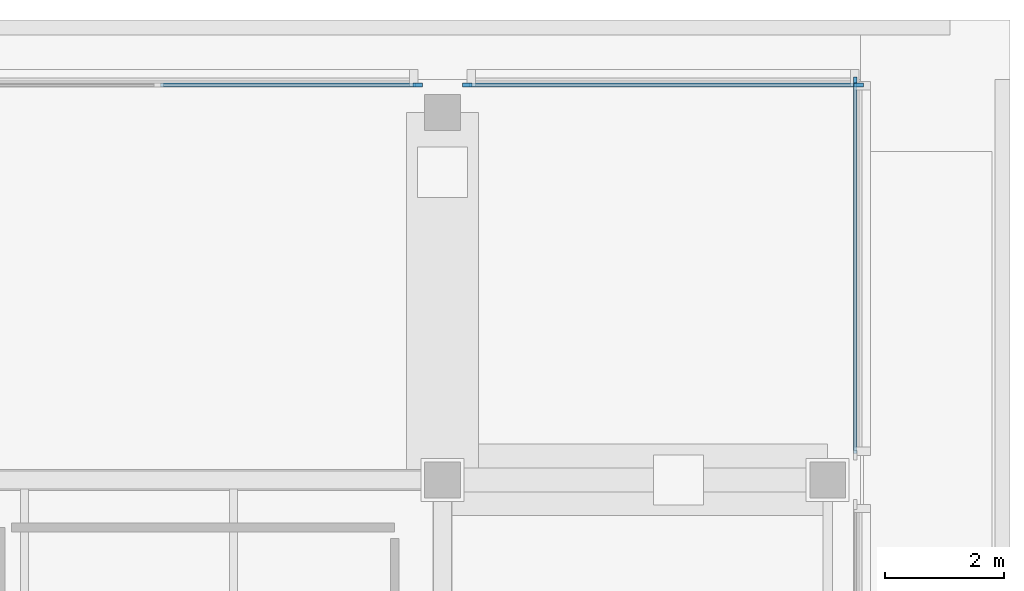
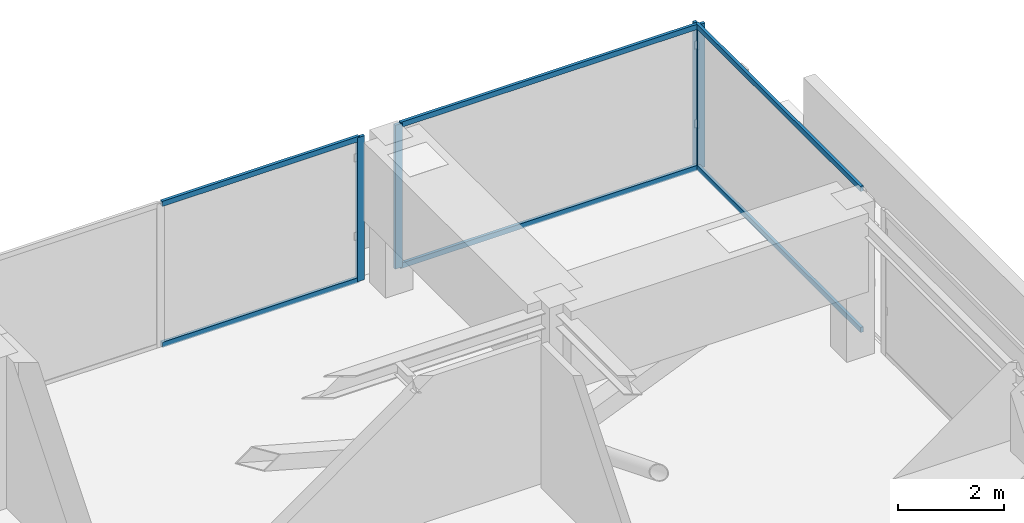
# One storey, part 3 of 9: 10 members, 3 elements without a shape of their own.
"""IFC4 building model written with IfcOpenShell, lengths in metres."""

import ifcopenshell
import ifcopenshell.guid

model = None  # the IFC model being written
_history = None  # IfcOwnerHistory: only IFC2X3 demands one
_inside = {}  # id of a spatial element -> (the spatial element, [elements in it])
_under = {}  # id of a project, library or spatial element -> (it, [spatial elements below it])
_declared = {}  # id of a project -> (the project, [libraries it declares])
_typed = {}  # id of a type object -> (the type object, [elements of that type])
_made_of = {}  # id of a material, layer set ... -> (it, [elements and type objects made of it])


def new_model(schema):
    """Start an empty IFC model of exactly this schema.

    Asked for "IFC4X3", IfcOpenShell would pick the latest addendum, in which some entities
    have other attributes; the version numbers below select the first issue.
    IFC2X3 requires an IfcOwnerHistory on every rooted entity: one is made here for all.
    """
    global model, _history
    if schema == "IFC4X3":
        model = ifcopenshell.file(schema_version=(4, 3, 0, 0))
    else:
        model = ifcopenshell.file(schema=schema)
    _inside.clear()
    _under.clear()
    _declared.clear()
    _typed.clear()
    _made_of.clear()
    _history = None
    if model.schema == "IFC2X3":
        org = make("IfcOrganization", Name="unknown")
        user = make(
            "IfcPersonAndOrganization",
            ThePerson=make("IfcPerson", FamilyName="unknown"),
            TheOrganization=org,
        )
        app = make(
            "IfcApplication",
            ApplicationDeveloper=org,
            Version="unknown",
            ApplicationFullName="unknown",
            ApplicationIdentifier="unknown",
        )
        _history = make(
            "IfcOwnerHistory",
            OwningUser=user,
            OwningApplication=app,
            ChangeAction="ADDED",
            CreationDate=0,
        )
    return model


def make(cls, **values):
    """One entity of the class cls with the attributes given. An attribute that is None is left unset."""
    return model.create_entity(
        cls, **{name: value for name, value in values.items() if value is not None}
    )


def rooted(cls, **values):
    """An entity with a GlobalId (a new one), such as an element, a storey or a relation."""
    return make(cls, GlobalId=ifcopenshell.guid.new(), OwnerHistory=_history, **values)


def si_unit(unit_type, name, prefix=None):
    """IfcSIUnit, for example si_unit("LENGTHUNIT", "METRE", prefix="MILLI")."""
    return make("IfcSIUnit", UnitType=unit_type, Prefix=prefix, Name=name)


def assignment(units):
    """IfcUnitAssignment: the units of a project."""
    return None if units is None else make("IfcUnitAssignment", Units=units)


def point(xyz):
    """IfcCartesianPoint."""
    return None if xyz is None else make("IfcCartesianPoint", Coordinates=xyz)


def direction(xyz):
    """IfcDirection."""
    return None if xyz is None else make("IfcDirection", DirectionRatios=xyz)


def frame(location, z_axis=None, x_axis=None):
    """IfcAxis2Placement3D, a coordinate frame: its origin and axes. An axis left out is left unset."""
    return make(
        "IfcAxis2Placement3D",
        Location=point(location),
        Axis=direction(z_axis),
        RefDirection=direction(x_axis),
    )


def frame_2d(location, x_axis=None):
    """IfcAxis2Placement2D, a coordinate frame in the plane: its origin and x axis."""
    return make(
        "IfcAxis2Placement2D", Location=point(location), RefDirection=direction(x_axis)
    )


def origin():
    """The frame at (0, 0, 0) with its axes left unset."""
    return frame((0.0, 0.0, 0.0))


def origin_2d():
    """The frame at (0, 0) in the plane with its x axis left unset."""
    return frame_2d((0.0, 0.0))


def place(relative_to, where):
    """IfcLocalPlacement: puts the frame where relative to a parent placement (None: the world)."""
    return make(
        "IfcLocalPlacement", PlacementRelTo=relative_to, RelativePlacement=where
    )


def context(
    kind, dimensions, precision=None, world=None, true_north=None, identifier=None
):
    """IfcGeometricRepresentationContext, for example the 3D "Model" context."""
    return make(
        "IfcGeometricRepresentationContext",
        ContextIdentifier=identifier,
        ContextType=kind,
        CoordinateSpaceDimension=dimensions,
        Precision=precision,
        WorldCoordinateSystem=world,
        TrueNorth=true_north,
    )


def subcontext(parent, identifier, kind, view, scale=None):
    """IfcGeometricRepresentationSubContext, for example "Body" below "Model"."""
    return make(
        "IfcGeometricRepresentationSubContext",
        ContextIdentifier=identifier,
        ContextType=kind,
        ParentContext=parent,
        TargetScale=scale,
        TargetView=view,
    )


def project(units=None, contexts=None):
    """IfcProject with its units and contexts."""
    return rooted(
        "IfcProject",
        Name="project",
        RepresentationContexts=contexts,
        UnitsInContext=assignment(units),
    )


def spatial(cls, under=None, at=None, **own):
    """A site, building, storey or space (cls), placed at a placement, below another one or the project."""
    s = rooted(cls, ObjectPlacement=at, **own)
    if under is not None:
        _under.setdefault(under.id(), (under, []))[1].append(s)
    return s


def profile(cls, at=None, kind="AREA", **sizes):
    """A parametric profile (cls). Its sizes go by their IFC names, for example OverallWidth=200.0."""
    return make(cls, ProfileType=kind, Position=at, **sizes)


def rectangle(**sizes):
    """IfcRectangleProfileDef."""
    return profile("IfcRectangleProfileDef", **sizes)


def extrude(swept, where, along, depth):
    """IfcExtrudedAreaSolid: the profile swept, set in the frame where, extruded along a direction by depth."""
    return make(
        "IfcExtrudedAreaSolid",
        SweptArea=swept,
        Position=where,
        ExtrudedDirection=direction(along),
        Depth=depth,
    )


def shape(context_of_items, identifier, shape_type, items):
    """IfcShapeRepresentation: the items that make up one representation, for example the "Body"."""
    return make(
        "IfcShapeRepresentation",
        ContextOfItems=context_of_items,
        RepresentationIdentifier=identifier,
        RepresentationType=shape_type,
        Items=items,
    )


def material(Name=None, Category=None):
    """IfcMaterial."""
    return make("IfcMaterial", Name=Name, Category=Category)


def layer(
    of_material, thickness, ventilated=None, Name=None, Category=None, Priority=None
):
    """IfcMaterialLayer: one layer of a wall or slab, of a material (None: an air gap)."""
    return make(
        "IfcMaterialLayer",
        Material=of_material,
        LayerThickness=thickness,
        IsVentilated=ventilated,
        Name=Name,
        Category=Category,
        Priority=Priority,
    )


def layer_set(layers, Name=None):
    """IfcMaterialLayerSet."""
    return make("IfcMaterialLayerSet", MaterialLayers=layers, LayerSetName=Name)


def material_profile(
    of_material, cross_section, Name=None, Category=None, Priority=None
):
    """IfcMaterialProfile: a cross section and its material."""
    return make(
        "IfcMaterialProfile",
        Name=Name,
        Material=of_material,
        Profile=cross_section,
        Priority=Priority,
        Category=Category,
    )


def profile_set(profiles, Name=None, composite=None):
    """IfcMaterialProfileSet."""
    return make(
        "IfcMaterialProfileSet",
        Name=Name,
        MaterialProfiles=profiles,
        CompositeProfile=composite,
    )


def made_of(thing, what):
    """Note that an element or type object is made of a material, layer set ...; save() writes the relation."""
    if what is not None:
        _made_of.setdefault(what.id(), (what, []))[1].append(thing)
    return thing


def type_object(cls, material=None, **own):
    """A type object (cls), such as IfcWallType, which elements share."""
    return made_of(rooted(cls, **own), material)


def element(
    cls,
    number,
    at=None,
    inside=None,
    cuts=None,
    type_object=None,
    material=None,
    context=None,
    identifier="Body",
    shape_type=None,
    held_by="IfcProductDefinitionShape",
    body=None,
    shapes=None,
    **own,
):
    """One element of the class cls, such as IfcWall. Its Tag is "e" and its number.

    at: its placement. inside: the storey or other place that contains it. cuts: it is an
    opening in that element (IfcRelVoidsElement). A single representation is given by context,
    identifier, shape_type and body (its items); several are given by shapes. held_by: the class
    of the entity that holds the representations. save() writes the other relations.
    """
    e = rooted(cls, Tag="e%d" % number, ObjectPlacement=at, **own)
    if body is not None:
        shapes = [shape(context, identifier, shape_type, body)]
    if shapes is not None:
        e.Representation = make(held_by, Representations=shapes)
    if inside is not None:
        _inside.setdefault(inside.id(), (inside, []))[1].append(e)
    if cuts is not None:
        rooted(
            "IfcRelVoidsElement", RelatingBuildingElement=cuts, RelatedOpeningElement=e
        )
    if type_object is not None:
        _typed.setdefault(type_object.id(), (type_object, []))[1].append(e)
    return made_of(e, material)


def aggregate(whole, parts):
    """IfcRelAggregates: a whole, such as a stair, and the parts it consists of."""
    return rooted("IfcRelAggregates", RelatingObject=whole, RelatedObjects=parts)


def save(model, path):
    """Write the relations noted so far, then the file.

    IfcRelAggregates (storeys below a building ...), IfcRelContainedInSpatialStructure (elements
    in a storey), IfcRelDefinesByType, IfcRelAssociatesMaterial and IfcRelDeclares: one each for
    every whole, place, type object, material and project.
    """
    for whole, parts in _under.values():
        aggregate(whole, parts)
    for where, things in _inside.values():
        rooted(
            "IfcRelContainedInSpatialStructure",
            RelatedElements=things,
            RelatingStructure=where,
        )
    for kind, things in _typed.values():
        rooted("IfcRelDefinesByType", RelatedObjects=things, RelatingType=kind)
    for what, things in _made_of.values():
        rooted("IfcRelAssociatesMaterial", RelatedObjects=things, RelatingMaterial=what)
    for by, libraries in _declared.values():
        rooted("IfcRelDeclares", RelatingContext=by, RelatedDefinitions=libraries)
    model.write(path)


model = new_model("IFC4")

# Units and contexts
model_context = context("Model", 3, precision=1e-05, world=origin(), true_north=direction((0.0, 1.0)))
body_context = subcontext(model_context, "Body", "Model", "MODEL_VIEW")
ifc_project = project(units=[si_unit("LENGTHUNIT", "METRE"), si_unit("AREAUNIT", "SQUARE_METRE"), si_unit("VOLUMEUNIT", "CUBIC_METRE"), si_unit("PLANEANGLEUNIT", "RADIAN"), si_unit("MASSUNIT", "GRAM", prefix="KILO")], contexts=[model_context])

# Site, building, storey
site_placement = place(None, origin())
site = spatial("IfcSite", under=ifc_project, at=site_placement, CompositionType="ELEMENT")
building_placement = place(site_placement, origin())
building = spatial("IfcBuilding", under=site, at=building_placement, Name="Kinhvarn Gate Tower", CompositionType="ELEMENT")
storey_placement = place(building_placement, frame((0.0, 0.0, 314.550048828125)))
storey = spatial("IfcBuildingStorey", under=building, at=storey_placement, Name="L83", CompositionType="ELEMENT", Elevation=314.550048828125)

# Curtain wall, members
ifc_material = material(Name="Anodised aluminium AW-6063", Category="aluminium")
ifc_layer = layer(ifc_material, 0.199951171875)
ifc_layer_set = layer_set([ifc_layer], Name="Anodised aluminium AW-6063")
curtain_wall_type = type_object("IfcCurtainWallType", Name="CW-SYS-6", PredefinedType="NOTDEFINED", material=ifc_layer_set)
curtain_wall_1_placement = place(storey_placement, origin())
curtain_wall_1 = element("IfcCurtainWall", 1, at=curtain_wall_1_placement, inside=storey, type_object=curtain_wall_type, Name="Curtain Wall CW6 (L83)", PredefinedType="NOTDEFINED")
ifc_material_profile_1 = material_profile(ifc_material, rectangle(XDim=0.06494140625, YDim=0.159912109375, at=origin_2d()), Name="ALU 65x160")
ifc_profile_set_1 = profile_set([ifc_material_profile_1], Name="Anodised aluminium AW-6063")
member_type_1 = type_object("IfcMemberType", Name="CW-MUL-160", PredefinedType="MULLION", material=ifc_profile_set_1)
member_1_placement = place(storey_placement, frame((34.467529296875, 38.610107421875, 0.0), z_axis=(0.0, 0.0, 1.0), x_axis=(0.0, -1.0, 0.0)))
member_1 = element("IfcMember", 2, at=member_1_placement, type_object=member_type_1, Name="CW6 mullion 1", PredefinedType="MULLION", context=body_context, shape_type="SweptSolid", body=[
    extrude(rectangle(XDim=0.06494140625, YDim=0.159912109375, at=origin_2d()), origin(), (0.0, 0.0, 1.0), 3.300048828125),
])
member_2_placement = place(storey_placement, frame((27.91259765625, 38.610107421875, 0.0), z_axis=(0.0, 0.0, 1.0), x_axis=(0.0, -1.0, 0.0)))
member_2 = element("IfcMember", 3, at=member_2_placement, type_object=member_type_1, Name="CW6 mullion 2", PredefinedType="MULLION", context=body_context, shape_type="SweptSolid", body=[
    extrude(rectangle(XDim=0.06494140625, YDim=0.159912109375, at=origin_2d()), origin(), (0.0, 0.0, 1.0), 3.300048828125),
])

# Curtain wall, member
curtain_wall_2_placement = place(storey_placement, origin())
curtain_wall_2 = element("IfcCurtainWall", 4, at=curtain_wall_2_placement, inside=storey, type_object=curtain_wall_type, Name="Curtain Wall CW6 (L83)", PredefinedType="NOTDEFINED")
member_3_placement = place(storey_placement, frame((27.08740234375, 38.610107421875, 0.0), z_axis=(0.0, 0.0, 1.0), x_axis=(0.0, -1.0, 0.0)))
member_3 = element("IfcMember", 5, at=member_3_placement, type_object=member_type_1, Name="CW6 mullion 1", PredefinedType="MULLION", context=body_context, shape_type="SweptSolid", body=[
    extrude(rectangle(XDim=0.06494140625, YDim=0.159912109375, at=origin_2d()), origin(), (0.0, 0.0, 1.0), 3.300048828125),
])

curtain_wall_3_placement = place(storey_placement, origin())
curtain_wall_3 = element("IfcCurtainWall", 6, at=curtain_wall_3_placement, inside=storey, type_object=curtain_wall_type, Name="Curtain Wall CW6 (L83)", PredefinedType="NOTDEFINED")
member_4_placement = place(storey_placement, frame((34.409912109375, 38.66748046875, 0.0), z_axis=(0.0, 0.0, 1.0), x_axis=(-1.0, 0.0, 0.0)))
member_4 = element("IfcMember", 7, at=member_4_placement, type_object=member_type_1, Name="CW6 mullion 2", PredefinedType="MULLION", context=body_context, shape_type="SweptSolid", body=[
    extrude(rectangle(XDim=0.06494140625, YDim=0.159912109375, at=origin_2d()), origin(), (0.0, 0.0, 1.0), 3.300048828125),
])

# Member
ifc_material_profile_2 = material_profile(ifc_material, rectangle(XDim=0.06494140625, YDim=0.1201171875, at=origin_2d()), Name="ALU 65x120")
ifc_profile_set_2 = profile_set([ifc_material_profile_2], Name="Anodised aluminium AW-6063")
member_type_2 = type_object("IfcMemberType", Name="CW-TRN-120", PredefinedType="USERDEFINED", material=ifc_profile_set_2)
member_5_placement = place(storey_placement, frame((34.43505859375, 38.610107421875, 0.032470703125), z_axis=(-1.0, 0.0, 0.0), x_axis=(0.0, -1.0, 0.0)))
member_5 = element("IfcMember", 8, at=member_5_placement, type_object=member_type_2, Name="CW6 transom 1.1", ObjectType="TRANSOM", PredefinedType="USERDEFINED", context=body_context, shape_type="SweptSolid", body=[
    extrude(rectangle(XDim=0.06494140625, YDim=0.1201171875, at=origin_2d()), origin(), (0.0, 0.0, 1.0), 6.489990234375),
])

member_6_placement = place(storey_placement, frame((34.43505859375, 38.610107421875, 3.267333984375), z_axis=(-1.0, 0.0, 0.0), x_axis=(0.0, -1.0, 0.0)))
member_6 = element("IfcMember", 9, at=member_6_placement, type_object=member_type_2, Name="CW6 transom 1.2", ObjectType="TRANSOM", PredefinedType="USERDEFINED", context=body_context, shape_type="SweptSolid", body=[
    extrude(rectangle(XDim=0.06494140625, YDim=0.1201171875, at=origin_2d()), origin(), (0.0, 0.0, 1.0), 6.489990234375),
])

aggregate(curtain_wall_1, [member_1, member_2, member_5, member_6])

member_7_placement = place(storey_placement, frame((27.054931640625, 38.610107421875, 0.032470703125), z_axis=(-1.0, 0.0, 0.0), x_axis=(0.0, -1.0, 0.0)))
member_7 = element("IfcMember", 10, at=member_7_placement, type_object=member_type_2, Name="CW6 transom 1.1", ObjectType="TRANSOM", PredefinedType="USERDEFINED", context=body_context, shape_type="SweptSolid", body=[
    extrude(rectangle(XDim=0.06494140625, YDim=0.1201171875, at=origin_2d()), origin(), (0.0, 0.0, 1.0), 4.27587890625),
])

member_8_placement = place(storey_placement, frame((27.054931640625, 38.610107421875, 3.267333984375), z_axis=(-1.0, 0.0, 0.0), x_axis=(0.0, -1.0, 0.0)))
member_8 = element("IfcMember", 11, at=member_8_placement, type_object=member_type_2, Name="CW6 transom 1.2", ObjectType="TRANSOM", PredefinedType="USERDEFINED", context=body_context, shape_type="SweptSolid", body=[
    extrude(rectangle(XDim=0.06494140625, YDim=0.1201171875, at=origin_2d()), origin(), (0.0, 0.0, 1.0), 4.27587890625),
])

aggregate(curtain_wall_2, [member_3, member_7, member_8])

member_9_placement = place(storey_placement, frame((34.409912109375, 32.445068359375, 0.032470703125), z_axis=(0.0, 1.0, 0.0), x_axis=(-1.0, 0.0, 0.0)))
member_9 = element("IfcMember", 12, at=member_9_placement, type_object=member_type_2, Name="CW6 transom 1.1", ObjectType="TRANSOM", PredefinedType="USERDEFINED", context=body_context, shape_type="SweptSolid", body=[
    extrude(rectangle(XDim=0.06494140625, YDim=0.1201171875, at=origin_2d()), origin(), (0.0, 0.0, 1.0), 6.18994140625),
])

member_10_placement = place(storey_placement, frame((34.409912109375, 32.445068359375, 3.267333984375), z_axis=(0.0, 1.0, 0.0), x_axis=(-1.0, 0.0, 0.0)))
member_10 = element("IfcMember", 13, at=member_10_placement, type_object=member_type_2, Name="CW6 transom 1.2", ObjectType="TRANSOM", PredefinedType="USERDEFINED", context=body_context, shape_type="SweptSolid", body=[
    extrude(rectangle(XDim=0.06494140625, YDim=0.1201171875, at=origin_2d()), origin(), (0.0, 0.0, 1.0), 6.18994140625),
])

aggregate(curtain_wall_3, [member_4, member_9, member_10])

save(model, "model.ifc")
